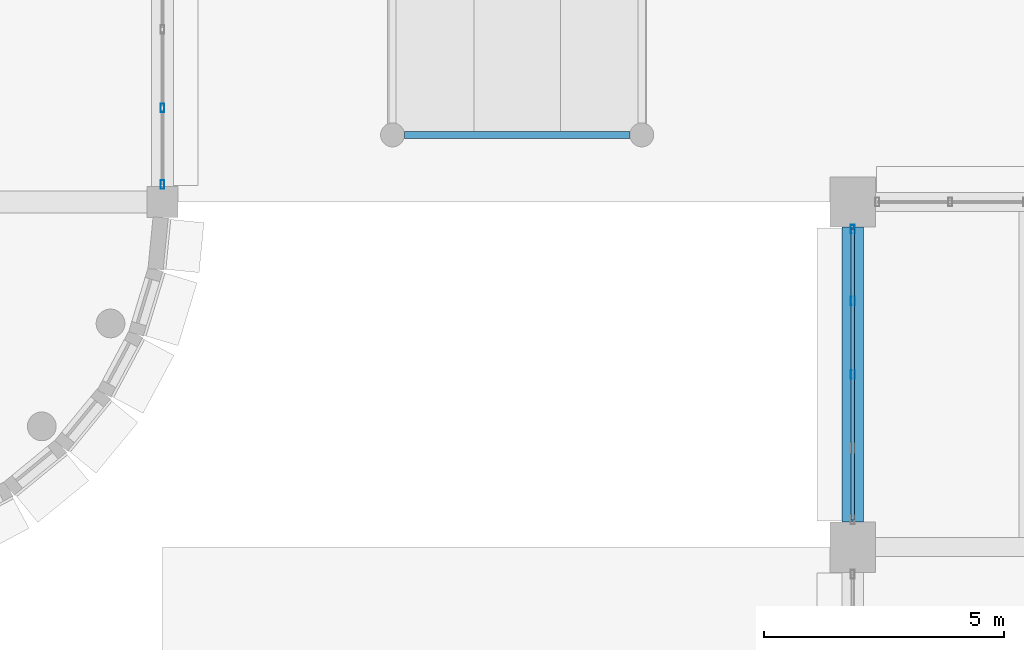
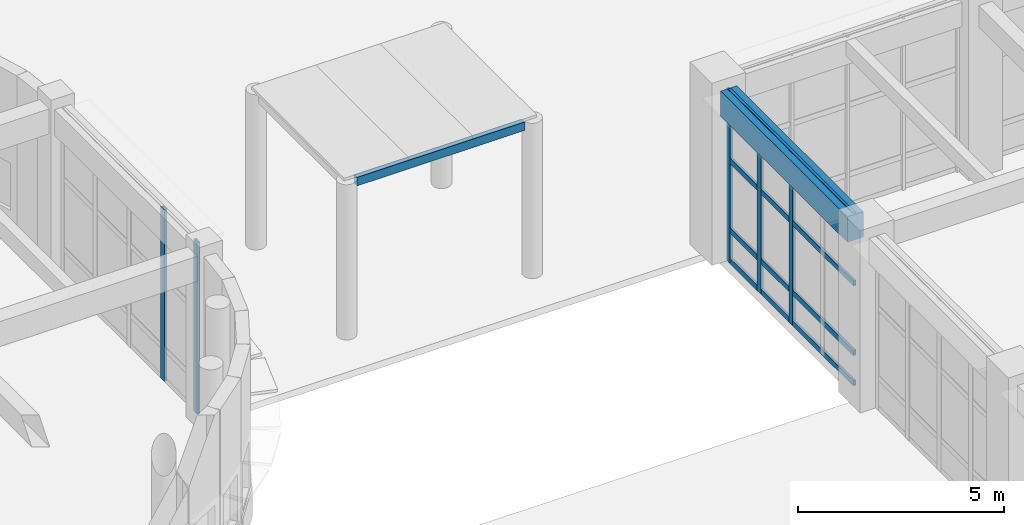
# One storey, part 42 of 160: 9 members, 2 beams, 2 elements without a shape of their own.
"""IFC4 building model written with IfcOpenShell, lengths in metres."""

from ifc_helpers import new_model, si_unit, direction, frame, origin, origin_2d, place, context, subcontext, project, spatial, rectangle, hollow_rectangle, extrude, material, material_profile, profile_set, type_object, element, aggregate, save


model = new_model("IFC4")

# Units and contexts
model_context = context("Model", 3, precision=1e-05, world=origin(), true_north=direction((0.0, 1.0)))
body_context = subcontext(model_context, "Body", "Model", "MODEL_VIEW")
ifc_project = project(units=[si_unit("LENGTHUNIT", "METRE"), si_unit("AREAUNIT", "SQUARE_METRE"), si_unit("VOLUMEUNIT", "CUBIC_METRE"), si_unit("PLANEANGLEUNIT", "RADIAN"), si_unit("MASSUNIT", "GRAM", prefix="KILO")], contexts=[model_context])

# Site, building, storey
site_placement = place(None, origin())
site = spatial("IfcSite", under=ifc_project, at=site_placement, CompositionType="ELEMENT")
building_placement = place(site_placement, origin())
building = spatial("IfcBuilding", under=site, at=building_placement, Name="Thalmaran Polytechnic", CompositionType="ELEMENT")
storey_placement = place(building_placement, origin())
storey = spatial("IfcBuildingStorey", under=building, at=storey_placement, Name="L00", CompositionType="ELEMENT", Elevation=0.0)

# Beams
ifc_material_1 = material(Name="Steel S355", Category="steel")
ifc_material_profile_1 = material_profile(ifc_material_1, hollow_rectangle(XDim=0.14990234375, YDim=0.25, WallThickness=0.010009765625, at=origin_2d()), Name="RHS 250x150x10.0")
ifc_profile_set_1 = profile_set([ifc_material_profile_1], Name="Steel S355")
beam_type_1 = type_object("IfcBeamType", Name="BM-CN02", PredefinedType="BEAM", material=ifc_profile_set_1)
beam_1_placement = place(storey_placement, frame((98.64990234375, 59.0, 4.47509765625), z_axis=(1.0, 0.0, 0.0), x_axis=(0.0, 1.0, 0.0)))
element("IfcBeam", 1, at=beam_1_placement, inside=storey, type_object=beam_type_1, Name="Court Canopy Longitudinal Beam 59", PredefinedType="BEAM", context=body_context, shape_type="SweptSolid", body=[
    extrude(hollow_rectangle(XDim=0.14990234375, YDim=0.25, WallThickness=0.010009765625, at=origin_2d()), origin(), (0.0, 0.0, 1.0), 4.7001953125),
])
ifc_material_2 = material(Name="Concrete C40/50", Category="concrete")
ifc_material_profile_2 = material_profile(ifc_material_2, rectangle(XDim=0.449951171875, YDim=0.7548828125, at=origin_2d()), Name="RC 450x755")
ifc_profile_set_2 = profile_set([ifc_material_profile_2], Name="Concrete C40/50")
beam_type_2 = type_object("IfcBeamType", Name="BM-SP02", PredefinedType="SPANDREL", material=ifc_profile_set_2)
beam_2_placement = place(storey_placement, frame((108.0, 50.925048828125, 4.71240234375), z_axis=(0.0, 1.0, 0.0), x_axis=(-1.0, 0.0, 0.0)))
element("IfcBeam", 2, at=beam_2_placement, inside=storey, type_object=beam_type_2, Name="Grid Beam SP02 L00 Y(15,7)", PredefinedType="SPANDREL", context=body_context, shape_type="SweptSolid", body=[
    extrude(rectangle(XDim=0.449951171875, YDim=0.7548828125, at=origin_2d()), origin(), (0.0, 0.0, 1.0), 6.14990234375),
])

# Curtain wall, members
ifc_material_3 = material(Name="Aluminium 6063-T6", Category="aluminium")
curtain_wall_type_1 = type_object("IfcCurtainWallType", Name="CW-SC01", PredefinedType="USERDEFINED", material=ifc_material_3)
curtain_wall_1_placement = place(storey_placement, origin())
curtain_wall_1 = element("IfcCurtainWall", 3, at=curtain_wall_1_placement, inside=storey, type_object=curtain_wall_type_1, Name="Curtain Wall CW-L00-035", ObjectType="STICK CURTAIN WALL", PredefinedType="USERDEFINED")
ifc_material_profile_3 = material_profile(ifc_material_3, hollow_rectangle(XDim=0.080078125, YDim=0.179931640625, WallThickness=0.0048828125, at=origin_2d()), Name="RHS 180x80x5.0")
ifc_profile_set_3 = profile_set([ifc_material_profile_3], Name="Aluminium 6063-T6")
member_type_1 = type_object("IfcMemberType", Name="CW-MUL1", PredefinedType="MULLION", material=ifc_profile_set_3)
member_1_placement = place(storey_placement, frame((93.60009765625, 59.5625, 0.0), z_axis=(0.0, 0.0, 1.0), x_axis=(1.0, 0.0, 0.0)))
member_1 = element("IfcMember", 4, at=member_1_placement, type_object=member_type_1, Name="CW-L00-035 Mullion 4", PredefinedType="MULLION", context=body_context, shape_type="SweptSolid", body=[
    extrude(hollow_rectangle(XDim=0.080078125, YDim=0.179931640625, WallThickness=0.0048828125, at=origin_2d()), origin(), (0.0, 0.0, 1.0), 5.090087890625),
])
member_2_placement = place(storey_placement, frame((93.60009765625, 57.965087890625, 0.0), z_axis=(0.0, 0.0, 1.0), x_axis=(1.0, 0.0, 0.0)))
member_2 = element("IfcMember", 5, at=member_2_placement, type_object=member_type_1, Name="CW-L00-035 Mullion 5", PredefinedType="MULLION", context=body_context, shape_type="SweptSolid", body=[
    extrude(hollow_rectangle(XDim=0.080078125, YDim=0.179931640625, WallThickness=0.0048828125, at=origin_2d()), origin(), (0.0, 0.0, 1.0), 5.090087890625),
])
aggregate(curtain_wall_1, [member_1, member_2])

curtain_wall_type_2 = type_object("IfcCurtainWallType", Name="CW-UC01", PredefinedType="USERDEFINED", material=ifc_material_3)
curtain_wall_2_placement = place(storey_placement, origin())
curtain_wall_2 = element("IfcCurtainWall", 6, at=curtain_wall_2_placement, inside=storey, type_object=curtain_wall_type_2, Name="Curtain Wall CW-L00-063", ObjectType="UNITISED CURTAIN WALL", PredefinedType="USERDEFINED")
member_3_placement = place(storey_placement, frame((108.0, 54.0, 0.0), z_axis=(0.0, 0.0, 1.0), x_axis=(1.0, 0.0, 0.0)))
member_3 = element("IfcMember", 7, at=member_3_placement, type_object=member_type_1, Name="CW-L00-063 Mullion 3", PredefinedType="MULLION", context=body_context, shape_type="SweptSolid", body=[
    extrude(hollow_rectangle(XDim=0.080078125, YDim=0.179931640625, WallThickness=0.0048828125, at=origin_2d()), origin(), (0.0, 0.0, 1.0), 5.090087890625),
])
member_4_placement = place(storey_placement, frame((108.0, 55.53759765625, 0.0), z_axis=(0.0, 0.0, 1.0), x_axis=(1.0, 0.0, 0.0)))
member_4 = element("IfcMember", 8, at=member_4_placement, type_object=member_type_1, Name="CW-L00-063 Mullion 4", PredefinedType="MULLION", context=body_context, shape_type="SweptSolid", body=[
    extrude(hollow_rectangle(XDim=0.080078125, YDim=0.179931640625, WallThickness=0.0048828125, at=origin_2d()), origin(), (0.0, 0.0, 1.0), 5.090087890625),
])
member_5_placement = place(storey_placement, frame((108.0, 57.034912109375, 0.0), z_axis=(0.0, 0.0, 1.0), x_axis=(1.0, 0.0, 0.0)))
member_5 = element("IfcMember", 9, at=member_5_placement, type_object=member_type_1, Name="CW-L00-063 Mullion 5", PredefinedType="MULLION", context=body_context, shape_type="SweptSolid", body=[
    extrude(hollow_rectangle(XDim=0.080078125, YDim=0.179931640625, WallThickness=0.0048828125, at=origin_2d()), origin(), (0.0, 0.0, 1.0), 5.090087890625),
])
ifc_material_profile_4 = material_profile(ifc_material_3, hollow_rectangle(XDim=0.070068359375, YDim=0.159912109375, WallThickness=0.00390625, at=origin_2d()), Name="AL 160x70x4.0")
ifc_profile_set_4 = profile_set([ifc_material_profile_4], Name="Aluminium 6063-T6")
member_type_2 = type_object("IfcMemberType", Name="CW-TRN1", PredefinedType="USERDEFINED", material=ifc_profile_set_4)
member_6_placement = place(storey_placement, frame((108.0, 50.965087890625, 0.06005859375), z_axis=(0.0, 1.0, 0.0), x_axis=(-1.0, 0.0, 0.0)))
member_6 = element("IfcMember", 10, at=member_6_placement, type_object=member_type_2, Name="CW-L00-063 Transom 1", ObjectType="TRANSOM", PredefinedType="USERDEFINED", context=body_context, shape_type="SweptSolid", body=[
    extrude(hollow_rectangle(XDim=0.070068359375, YDim=0.159912109375, WallThickness=0.00390625, at=origin_2d()), origin(), (0.0, 0.0, 1.0), 6.06982421875),
])
member_7_placement = place(storey_placement, frame((108.0, 50.965087890625, 0.9599609375), z_axis=(0.0, 1.0, 0.0), x_axis=(-1.0, 0.0, 0.0)))
member_7 = element("IfcMember", 11, at=member_7_placement, type_object=member_type_2, Name="CW-L00-063 Transom 2", ObjectType="TRANSOM", PredefinedType="USERDEFINED", context=body_context, shape_type="SweptSolid", body=[
    extrude(hollow_rectangle(XDim=0.070068359375, YDim=0.159912109375, WallThickness=0.00390625, at=origin_2d()), origin(), (0.0, 0.0, 1.0), 6.06982421875),
])
member_8_placement = place(storey_placement, frame((108.0, 50.965087890625, 3.02490234375), z_axis=(0.0, 1.0, 0.0), x_axis=(-1.0, 0.0, 0.0)))
member_8 = element("IfcMember", 12, at=member_8_placement, type_object=member_type_2, Name="CW-L00-063 Transom 3", ObjectType="TRANSOM", PredefinedType="USERDEFINED", context=body_context, shape_type="SweptSolid", body=[
    extrude(hollow_rectangle(XDim=0.070068359375, YDim=0.159912109375, WallThickness=0.00390625, at=origin_2d()), origin(), (0.0, 0.0, 1.0), 6.06982421875),
])
member_9_placement = place(storey_placement, frame((108.0, 50.965087890625, 5.030029296875), z_axis=(0.0, 1.0, 0.0), x_axis=(-1.0, 0.0, 0.0)))
member_9 = element("IfcMember", 13, at=member_9_placement, type_object=member_type_2, Name="CW-L00-063 Transom 4", ObjectType="TRANSOM", PredefinedType="USERDEFINED", context=body_context, shape_type="SweptSolid", body=[
    extrude(hollow_rectangle(XDim=0.070068359375, YDim=0.159912109375, WallThickness=0.00390625, at=origin_2d()), origin(), (0.0, 0.0, 1.0), 6.06982421875),
])
aggregate(curtain_wall_2, [member_3, member_4, member_5, member_6, member_7, member_8, member_9])

save(model, "model.ifc")
